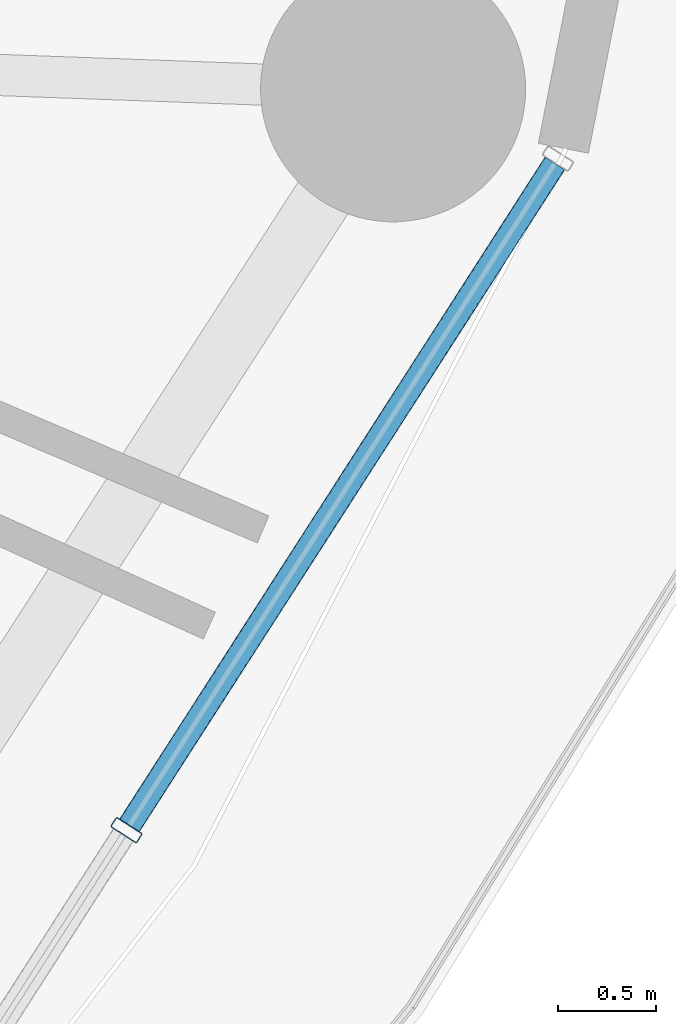
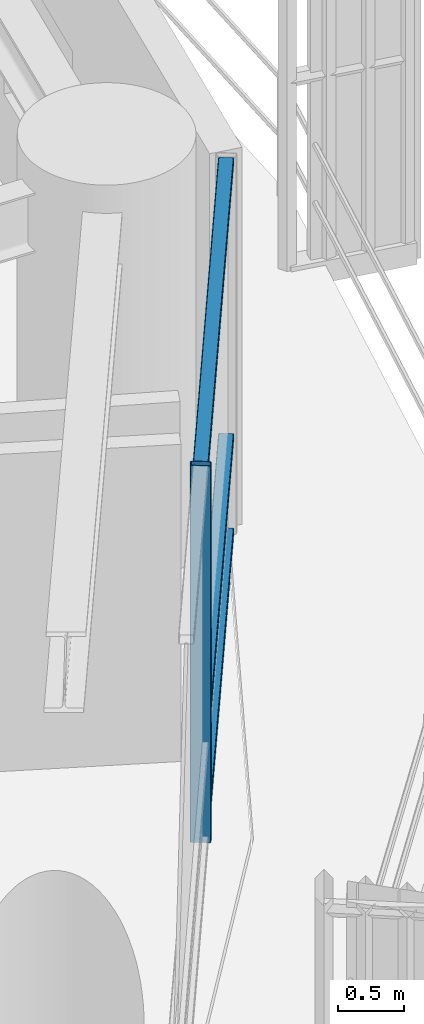
# One storey, part 14 of 37: 4 members, 1 element without a shape of its own.
"""IFC4 building model written with IfcOpenShell, lengths in metres."""

from ifc_helpers import new_model, si_unit, direction, frame, origin, origin_2d, place, context, subcontext, project, spatial, hollow_rectangle, extrude, material, layer, layer_set, material_profile, profile_set, type_object, element, aggregate, save


model = new_model("IFC4")

# Units and contexts
model_context = context("Model", 3, precision=1e-05, world=origin(), true_north=direction((0.0, 1.0)))
body_context = subcontext(model_context, "Body", "Model", "MODEL_VIEW")
ifc_project = project(units=[si_unit("LENGTHUNIT", "METRE"), si_unit("AREAUNIT", "SQUARE_METRE"), si_unit("VOLUMEUNIT", "CUBIC_METRE"), si_unit("PLANEANGLEUNIT", "RADIAN"), si_unit("MASSUNIT", "GRAM", prefix="KILO")], contexts=[model_context])

# Site, building, storey
site_placement = place(None, origin())
site = spatial("IfcSite", under=ifc_project, at=site_placement, CompositionType="ELEMENT")
building_placement = place(site_placement, origin())
building = spatial("IfcBuilding", under=site, at=building_placement, Name="Kelanora Arch Commons", CompositionType="ELEMENT")
storey_placement = place(building_placement, frame((0.0, 0.0, 110.10009765625)))
storey = spatial("IfcBuildingStorey", under=building, at=storey_placement, Name="L28", CompositionType="ELEMENT", Elevation=110.10009765625)

# Curtain wall, members
ifc_material_1 = material(Name="Terracotta ceramic-fritted low-E glass and aluminium", Category="masonry")
ifc_layer = layer(ifc_material_1, 0.159912109375)
ifc_layer_set = layer_set([ifc_layer], Name="Terracotta ceramic-fritted low-E glass and aluminium")
curtain_wall_type = type_object("IfcCurtainWallType", Name="CW-SYS-01", PredefinedType="NOTDEFINED", material=ifc_layer_set)
curtain_wall_placement = place(storey_placement, origin())
curtain_wall = element("IfcCurtainWall", 1, at=curtain_wall_placement, inside=storey, type_object=curtain_wall_type, Name="Unitised Curtain Wall L28-B16", PredefinedType="NOTDEFINED")
ifc_material_2 = material(Name="Powder-coated aluminium terracotta", Category="masonry")
ifc_material_profile_1 = material_profile(ifc_material_2, hollow_rectangle(XDim=0.159912109375, YDim=0.06005859375, WallThickness=0.0048828125, InnerFilletRadius=0.0048828125, OuterFilletRadius=0.010009765625, at=origin_2d()), Name="CWM160x60")
ifc_profile_set_1 = profile_set([ifc_material_profile_1], Name="Powder-coated aluminium terracotta")
member_type_1 = type_object("IfcMemberType", Name="CWM-STD", PredefinedType="MULLION", material=ifc_profile_set_1)
member_1_placement = place(storey_placement, frame((95.83349609375, 46.6748046875, 0.0), z_axis=(0.0, 0.0, 1.0), x_axis=(-0.841268883088, 0.540616931244, 0.0)))
member_1 = element("IfcMember", 2, at=member_1_placement, type_object=member_type_1, Name="CW-01 mullion 2", PredefinedType="MULLION", context=body_context, shape_type="SweptSolid", body=[
    extrude(hollow_rectangle(XDim=0.159912109375, YDim=0.06005859375, WallThickness=0.0048828125, InnerFilletRadius=0.0048828125, OuterFilletRadius=0.010009765625, at=origin_2d()), origin(), (0.0, 0.0, 1.0), 3.474853515625),
])
ifc_material_profile_2 = material_profile(ifc_material_2, hollow_rectangle(XDim=0.1201171875, YDim=0.06005859375, WallThickness=0.0048828125, InnerFilletRadius=0.0048828125, OuterFilletRadius=0.010009765625, at=origin_2d()), Name="CWT120x60")
ifc_profile_set_2 = profile_set([ifc_material_profile_2], Name="Powder-coated aluminium terracotta")
member_type_2 = type_object("IfcMemberType", Name="CWT-STD", PredefinedType="USERDEFINED", material=ifc_profile_set_2)
member_2_placement = place(storey_placement, frame((95.849609375, 46.699951171875, 0.02978515625), z_axis=(0.540643629734, 0.841251725483, 0.0), x_axis=(-0.841251725483, 0.540643629734, 0.0)))
member_2 = element("IfcMember", 3, at=member_2_placement, type_object=member_type_2, Name="CW-01 transom 2.1", ObjectType="TRANSOM", PredefinedType="USERDEFINED", context=body_context, shape_type="SweptSolid", body=[
    extrude(hollow_rectangle(XDim=0.1201171875, YDim=0.06005859375, WallThickness=0.0048828125, InnerFilletRadius=0.0048828125, OuterFilletRadius=0.010009765625, at=origin_2d()), origin(), (0.0, 0.0, 1.0), 4.00634765625),
])
member_3_placement = place(storey_placement, frame((95.849609375, 46.699951171875, 0.89990234375), z_axis=(0.540643629734, 0.841251725483, 0.0), x_axis=(-0.841251725483, 0.540643629734, 0.0)))
member_3 = element("IfcMember", 4, at=member_3_placement, type_object=member_type_2, Name="CW-01 transom 2.2", ObjectType="TRANSOM", PredefinedType="USERDEFINED", context=body_context, shape_type="SweptSolid", body=[
    extrude(hollow_rectangle(XDim=0.1201171875, YDim=0.06005859375, WallThickness=0.0048828125, InnerFilletRadius=0.0048828125, OuterFilletRadius=0.010009765625, at=origin_2d()), origin(), (0.0, 0.0, 1.0), 4.00634765625),
])
member_4_placement = place(storey_placement, frame((95.849609375, 46.699951171875, 3.44482421875), z_axis=(0.540643629734, 0.841251725483, 0.0), x_axis=(-0.841251725483, 0.540643629734, 0.0)))
member_4 = element("IfcMember", 5, at=member_4_placement, type_object=member_type_2, Name="CW-01 transom 2.3", ObjectType="TRANSOM", PredefinedType="USERDEFINED", context=body_context, shape_type="SweptSolid", body=[
    extrude(hollow_rectangle(XDim=0.1201171875, YDim=0.06005859375, WallThickness=0.0048828125, InnerFilletRadius=0.0048828125, OuterFilletRadius=0.010009765625, at=origin_2d()), origin(), (0.0, 0.0, 1.0), 4.00634765625),
])
aggregate(curtain_wall, [member_1, member_2, member_3, member_4])

save(model, "model.ifc")
